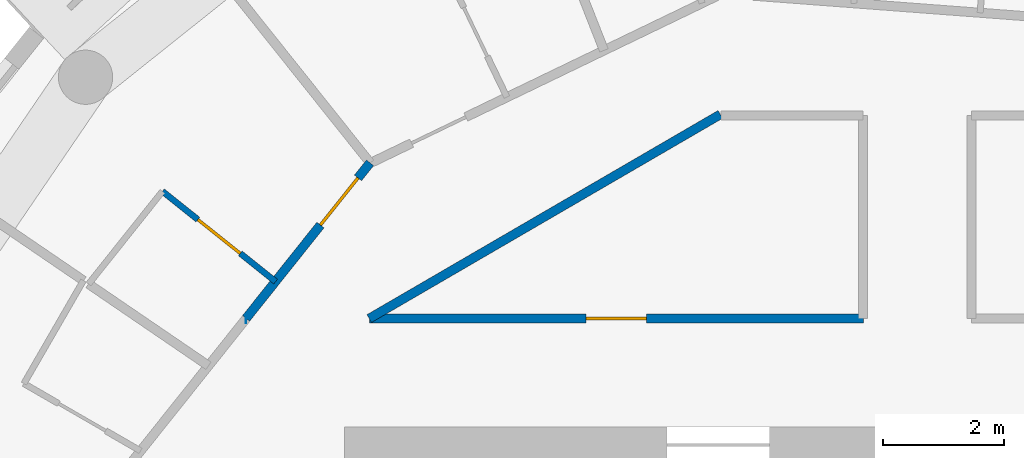
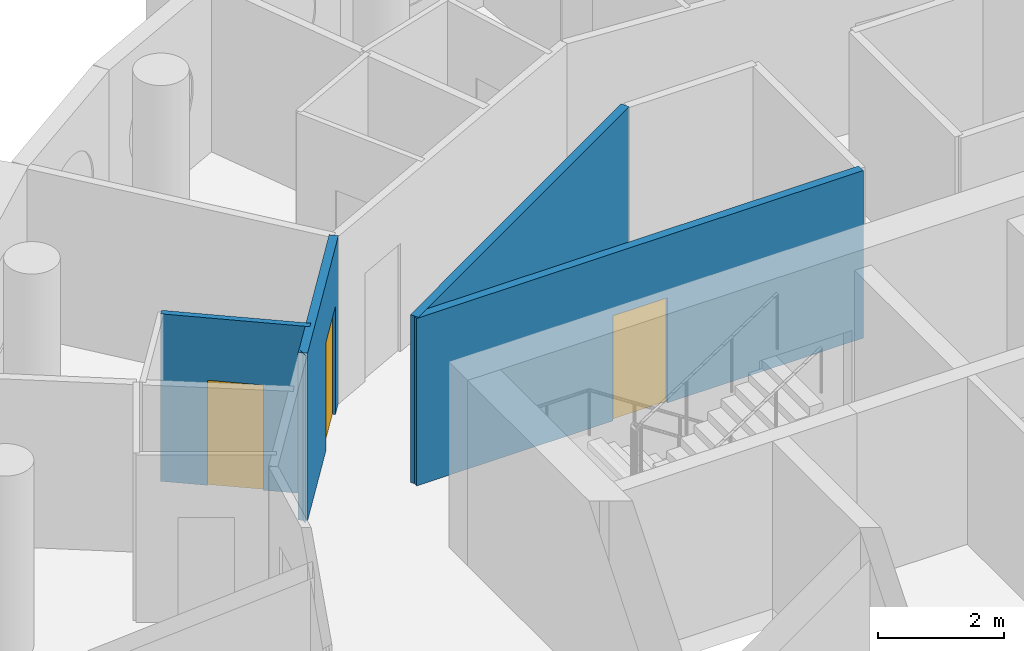
# One storey, part 7 of 13: 5 walls, 3 doors, 3 openings.
"""IFC4 building model written with IfcOpenShell, lengths in metres."""

import ifcopenshell
import ifcopenshell.guid

model = None  # the IFC model being written
_history = None  # IfcOwnerHistory: only IFC2X3 demands one
_inside = {}  # id of a spatial element -> (the spatial element, [elements in it])
_under = {}  # id of a project, library or spatial element -> (it, [spatial elements below it])
_declared = {}  # id of a project -> (the project, [libraries it declares])
_typed = {}  # id of a type object -> (the type object, [elements of that type])
_made_of = {}  # id of a material, layer set ... -> (it, [elements and type objects made of it])


def new_model(schema):
    """Start an empty IFC model of exactly this schema.

    Asked for "IFC4X3", IfcOpenShell would pick the latest addendum, in which some entities
    have other attributes; the version numbers below select the first issue.
    IFC2X3 requires an IfcOwnerHistory on every rooted entity: one is made here for all.
    """
    global model, _history
    if schema == "IFC4X3":
        model = ifcopenshell.file(schema_version=(4, 3, 0, 0))
    else:
        model = ifcopenshell.file(schema=schema)
    _inside.clear()
    _under.clear()
    _declared.clear()
    _typed.clear()
    _made_of.clear()
    _history = None
    if model.schema == "IFC2X3":
        org = make("IfcOrganization", Name="unknown")
        user = make(
            "IfcPersonAndOrganization",
            ThePerson=make("IfcPerson", FamilyName="unknown"),
            TheOrganization=org,
        )
        app = make(
            "IfcApplication",
            ApplicationDeveloper=org,
            Version="unknown",
            ApplicationFullName="unknown",
            ApplicationIdentifier="unknown",
        )
        _history = make(
            "IfcOwnerHistory",
            OwningUser=user,
            OwningApplication=app,
            ChangeAction="ADDED",
            CreationDate=0,
        )
    return model


def make(cls, **values):
    """One entity of the class cls with the attributes given. An attribute that is None is left unset."""
    return model.create_entity(
        cls, **{name: value for name, value in values.items() if value is not None}
    )


def rooted(cls, **values):
    """An entity with a GlobalId (a new one), such as an element, a storey or a relation."""
    return make(cls, GlobalId=ifcopenshell.guid.new(), OwnerHistory=_history, **values)


def si_unit(unit_type, name, prefix=None):
    """IfcSIUnit, for example si_unit("LENGTHUNIT", "METRE", prefix="MILLI")."""
    return make("IfcSIUnit", UnitType=unit_type, Prefix=prefix, Name=name)


def assignment(units):
    """IfcUnitAssignment: the units of a project."""
    return None if units is None else make("IfcUnitAssignment", Units=units)


def point(xyz):
    """IfcCartesianPoint."""
    return None if xyz is None else make("IfcCartesianPoint", Coordinates=xyz)


def direction(xyz):
    """IfcDirection."""
    return None if xyz is None else make("IfcDirection", DirectionRatios=xyz)


def frame(location, z_axis=None, x_axis=None):
    """IfcAxis2Placement3D, a coordinate frame: its origin and axes. An axis left out is left unset."""
    return make(
        "IfcAxis2Placement3D",
        Location=point(location),
        Axis=direction(z_axis),
        RefDirection=direction(x_axis),
    )


def frame_2d(location, x_axis=None):
    """IfcAxis2Placement2D, a coordinate frame in the plane: its origin and x axis."""
    return make(
        "IfcAxis2Placement2D", Location=point(location), RefDirection=direction(x_axis)
    )


def origin():
    """The frame at (0, 0, 0) with its axes left unset."""
    return frame((0.0, 0.0, 0.0))


def place(relative_to, where):
    """IfcLocalPlacement: puts the frame where relative to a parent placement (None: the world)."""
    return make(
        "IfcLocalPlacement", PlacementRelTo=relative_to, RelativePlacement=where
    )


def context(
    kind, dimensions, precision=None, world=None, true_north=None, identifier=None
):
    """IfcGeometricRepresentationContext, for example the 3D "Model" context."""
    return make(
        "IfcGeometricRepresentationContext",
        ContextIdentifier=identifier,
        ContextType=kind,
        CoordinateSpaceDimension=dimensions,
        Precision=precision,
        WorldCoordinateSystem=world,
        TrueNorth=true_north,
    )


def subcontext(parent, identifier, kind, view, scale=None):
    """IfcGeometricRepresentationSubContext, for example "Body" below "Model"."""
    return make(
        "IfcGeometricRepresentationSubContext",
        ContextIdentifier=identifier,
        ContextType=kind,
        ParentContext=parent,
        TargetScale=scale,
        TargetView=view,
    )


def project(units=None, contexts=None):
    """IfcProject with its units and contexts."""
    return rooted(
        "IfcProject",
        Name="project",
        RepresentationContexts=contexts,
        UnitsInContext=assignment(units),
    )


def spatial(cls, under=None, at=None, **own):
    """A site, building, storey or space (cls), placed at a placement, below another one or the project."""
    s = rooted(cls, ObjectPlacement=at, **own)
    if under is not None:
        _under.setdefault(under.id(), (under, []))[1].append(s)
    return s


def profile(cls, at=None, kind="AREA", **sizes):
    """A parametric profile (cls). Its sizes go by their IFC names, for example OverallWidth=200.0."""
    return make(cls, ProfileType=kind, Position=at, **sizes)


def rectangle(**sizes):
    """IfcRectangleProfileDef."""
    return profile("IfcRectangleProfileDef", **sizes)


def extrude(swept, where, along, depth):
    """IfcExtrudedAreaSolid: the profile swept, set in the frame where, extruded along a direction by depth."""
    return make(
        "IfcExtrudedAreaSolid",
        SweptArea=swept,
        Position=where,
        ExtrudedDirection=direction(along),
        Depth=depth,
    )


def shape(context_of_items, identifier, shape_type, items):
    """IfcShapeRepresentation: the items that make up one representation, for example the "Body"."""
    return make(
        "IfcShapeRepresentation",
        ContextOfItems=context_of_items,
        RepresentationIdentifier=identifier,
        RepresentationType=shape_type,
        Items=items,
    )


def material(Name=None, Category=None):
    """IfcMaterial."""
    return make("IfcMaterial", Name=Name, Category=Category)


def layer(
    of_material, thickness, ventilated=None, Name=None, Category=None, Priority=None
):
    """IfcMaterialLayer: one layer of a wall or slab, of a material (None: an air gap)."""
    return make(
        "IfcMaterialLayer",
        Material=of_material,
        LayerThickness=thickness,
        IsVentilated=ventilated,
        Name=Name,
        Category=Category,
        Priority=Priority,
    )


def layer_set(layers, Name=None):
    """IfcMaterialLayerSet."""
    return make("IfcMaterialLayerSet", MaterialLayers=layers, LayerSetName=Name)


def made_of(thing, what):
    """Note that an element or type object is made of a material, layer set ...; save() writes the relation."""
    if what is not None:
        _made_of.setdefault(what.id(), (what, []))[1].append(thing)
    return thing


def type_object(cls, material=None, **own):
    """A type object (cls), such as IfcWallType, which elements share."""
    return made_of(rooted(cls, **own), material)


def element(
    cls,
    number,
    at=None,
    inside=None,
    cuts=None,
    type_object=None,
    material=None,
    context=None,
    identifier="Body",
    shape_type=None,
    held_by="IfcProductDefinitionShape",
    body=None,
    shapes=None,
    **own,
):
    """One element of the class cls, such as IfcWall. Its Tag is "e" and its number.

    at: its placement. inside: the storey or other place that contains it. cuts: it is an
    opening in that element (IfcRelVoidsElement). A single representation is given by context,
    identifier, shape_type and body (its items); several are given by shapes. held_by: the class
    of the entity that holds the representations. save() writes the other relations.
    """
    e = rooted(cls, Tag="e%d" % number, ObjectPlacement=at, **own)
    if body is not None:
        shapes = [shape(context, identifier, shape_type, body)]
    if shapes is not None:
        e.Representation = make(held_by, Representations=shapes)
    if inside is not None:
        _inside.setdefault(inside.id(), (inside, []))[1].append(e)
    if cuts is not None:
        rooted(
            "IfcRelVoidsElement", RelatingBuildingElement=cuts, RelatedOpeningElement=e
        )
    if type_object is not None:
        _typed.setdefault(type_object.id(), (type_object, []))[1].append(e)
    return made_of(e, material)


def fill(opening, filler):
    """IfcRelFillsElement: the door or window that sits in an opening."""
    return rooted(
        "IfcRelFillsElement",
        RelatingOpeningElement=opening,
        RelatedBuildingElement=filler,
    )


def aggregate(whole, parts):
    """IfcRelAggregates: a whole, such as a stair, and the parts it consists of."""
    return rooted("IfcRelAggregates", RelatingObject=whole, RelatedObjects=parts)


def save(model, path):
    """Write the relations noted so far, then the file.

    IfcRelAggregates (storeys below a building ...), IfcRelContainedInSpatialStructure (elements
    in a storey), IfcRelDefinesByType, IfcRelAssociatesMaterial and IfcRelDeclares: one each for
    every whole, place, type object, material and project.
    """
    for whole, parts in _under.values():
        aggregate(whole, parts)
    for where, things in _inside.values():
        rooted(
            "IfcRelContainedInSpatialStructure",
            RelatedElements=things,
            RelatingStructure=where,
        )
    for kind, things in _typed.values():
        rooted("IfcRelDefinesByType", RelatedObjects=things, RelatingType=kind)
    for what, things in _made_of.values():
        rooted("IfcRelAssociatesMaterial", RelatedObjects=things, RelatingMaterial=what)
    for by, libraries in _declared.values():
        rooted("IfcRelDeclares", RelatingContext=by, RelatedDefinitions=libraries)
    model.write(path)


model = new_model("IFC4")

# Units and contexts
model_context = context("Model", 3, precision=1e-05, world=origin(), true_north=direction((0.0, 1.0)))
body_context = subcontext(model_context, "Body", "Model", "MODEL_VIEW")
ifc_project = project(units=[si_unit("LENGTHUNIT", "METRE"), si_unit("AREAUNIT", "SQUARE_METRE"), si_unit("VOLUMEUNIT", "CUBIC_METRE"), si_unit("PLANEANGLEUNIT", "RADIAN"), si_unit("MASSUNIT", "GRAM", prefix="KILO")], contexts=[model_context])

# Site, building, storey
site_placement = place(None, origin())
site = spatial("IfcSite", under=ifc_project, at=site_placement, CompositionType="ELEMENT")
building_placement = place(site_placement, origin())
building = spatial("IfcBuilding", under=site, at=building_placement, Name="Tracery Tower", CompositionType="ELEMENT")
storey_placement = place(building_placement, frame((0.0, 0.0, 309.0)))
storey = spatial("IfcBuildingStorey", under=building, at=storey_placement, Name="L80", CompositionType="ELEMENT", Elevation=309.0)

# Wall, opening, door
ifc_material_1 = material(Name="Plasterboard on steel studs", Category="steel")
ifc_layer_1 = layer(ifc_material_1, 0.10009765625)
ifc_layer_set_1 = layer_set([ifc_layer_1], Name="Partition 100 wet wall")
wall_type_1 = type_object("IfcWallType", Name="Partition 100 wet wall", PredefinedType="PARTITIONING", material=ifc_layer_set_1)
wall_1_placement = place(storey_placement, frame((-12.52197265625, 10.909912109375, 0.0), z_axis=(0.0, 0.0, 1.0), x_axis=(0.781830263661, -0.623491330191, 0.0)))
wall_1 = element("IfcWall", 1, at=wall_1_placement, inside=storey, type_object=wall_type_1, Name="Wet wall RC8-069", PredefinedType="PARTITIONING", context=body_context, shape_type="SweptSolid", body=[
    extrude(rectangle(XDim=2.400634765625, YDim=0.10009765625, at=frame_2d((1.2001953125, 0.0))), origin(), (0.0, 0.0, 1.0), 3.25),
])
opening_1_placement = place(wall_1_placement, frame((0.7509765625, 0.0, 0.0)))
opening_1 = element("IfcOpeningElement", 2, at=opening_1_placement, cuts=wall_1, Name="Opening RC8-19", PredefinedType="OPENING", context=body_context, shape_type="SweptSolid", body=[
    extrude(rectangle(XDim=0.89990234375, YDim=2.0400390625, at=frame_2d((0.449951171875, 1.02001953125))), frame((0.0, 0.050048828125, 0.0), z_axis=(0.0, -1.0, 0.0), x_axis=(1.0, 0.0, 0.0)), (0.0, 0.0, 1.0), 0.10009765625),
])
ifc_material_2 = material(Name="Timber door leaf", Category="wood")
door_type_1 = type_object("IfcDoorType", Name="Door en-suite 900", OperationType="NOTDEFINED", PredefinedType="DOOR", material=ifc_material_2)
door_1_placement = place(opening_1_placement, origin())
door_1 = element("IfcDoor", 3, at=door_1_placement, inside=storey, type_object=door_type_1, Name="En-suite door RC8-19", OperationType="SINGLE_SWING_LEFT", OverallHeight=2.0400390625, OverallWidth=0.89990234375, PredefinedType="DOOR", context=body_context, shape_type="SweptSolid", body=[
    extrude(rectangle(XDim=0.89990234375, YDim=2.0400390625, at=frame_2d((0.449951171875, 1.02001953125))), frame((0.0, 0.02490234375, 0.0), z_axis=(0.0, -1.0, 0.0), x_axis=(1.0, 0.0, 0.0)), (0.0, 0.0, 1.0), 0.050048828125),
])
fill(opening_1, door_1)

# Wall
ifc_material_3 = material(Name="Plasterboard on steel studs", Category="steel")
ifc_layer_2 = layer(ifc_material_3, 0.14990234375)
ifc_layer_set_2 = layer_set([ifc_layer_2], Name="Partition 150 corridor wall")
wall_type_2 = type_object("IfcWallType", Name="Partition 150 corridor wall", PredefinedType="PARTITIONING", material=ifc_layer_set_2)
wall_2_placement = place(storey_placement, frame((-9.092041015625, 8.800048828125, 0.0), z_axis=(0.0, 0.0, 1.0), x_axis=(0.864470922103, 0.502682827277, 0.0)))
element("IfcWall", 4, at=wall_2_placement, inside=storey, type_object=wall_type_2, Name="Corridor wall RC8-001", PredefinedType="PARTITIONING", context=body_context, shape_type="SweptSolid", body=[
    extrude(rectangle(XDim=6.7353515625, YDim=0.14990234375, at=frame_2d((3.36767578125, 0.0))), origin(), (0.0, 0.0, 1.0), 3.25),
])

# Wall, opening, door
wall_3_placement = place(storey_placement, frame((-9.092041015625, 8.800048828125, 0.0), z_axis=(0.0, 0.0, 1.0), x_axis=(1.0, 0.0, 0.0)))
wall_3 = element("IfcWall", 5, at=wall_3_placement, inside=storey, type_object=wall_type_2, Name="Corridor wall RC8-002", PredefinedType="PARTITIONING", context=body_context, shape_type="SweptSolid", body=[
    extrude(rectangle(XDim=8.196044921875, YDim=0.14990234375, at=frame_2d((4.09814453125, 0.0))), origin(), (0.0, 0.0, 1.0), 3.25),
])
opening_2_placement = place(wall_3_placement, frame((3.597900390625, 0.0, 0.0)))
opening_2 = element("IfcOpeningElement", 6, at=opening_2_placement, cuts=wall_3, Name="Opening RC8-01", PredefinedType="OPENING", context=body_context, shape_type="SweptSolid", body=[
    extrude(rectangle(XDim=1.0, YDim=2.0400390625, at=frame_2d((0.5, 1.02001953125))), frame((0.0, 0.074951171875, 0.0), z_axis=(0.0, -1.0, 0.0), x_axis=(1.0, 0.0, 0.0)), (0.0, 0.0, 1.0), 0.14990234375),
])
ifc_material_4 = material(Name="Timber door leaf", Category="wood")
door_type_2 = type_object("IfcDoorType", Name="Door communal room 1000", OperationType="NOTDEFINED", PredefinedType="DOOR", material=ifc_material_4)
door_2_placement = place(opening_2_placement, origin())
door_2 = element("IfcDoor", 7, at=door_2_placement, inside=storey, type_object=door_type_2, Name="Communal room door RC8-01", OperationType="SINGLE_SWING_RIGHT", OverallHeight=2.0400390625, OverallWidth=1.0, PredefinedType="DOOR", context=body_context, shape_type="SweptSolid", body=[
    extrude(rectangle(XDim=1.0, YDim=2.0400390625, at=frame_2d((0.5, 1.02001953125))), frame((0.0, 0.02490234375, 0.0), z_axis=(0.0, -1.0, 0.0), x_axis=(1.0, 0.0, 0.0)), (0.0, 0.0, 1.0), 0.050048828125),
])
fill(opening_2, door_2)

wall_4_placement = place(storey_placement, frame((-11.135986328125, 8.802001953125, 0.0), z_axis=(0.0, 0.0, 1.0), x_axis=(0.623151397235, 0.782101231379, 0.0)))
wall_4 = element("IfcWall", 8, at=wall_4_placement, inside=storey, type_object=wall_type_2, Name="Corridor wall RC8-008", PredefinedType="PARTITIONING", context=body_context, shape_type="SweptSolid", body=[
    extrude(rectangle(XDim=3.30078125, YDim=0.14990234375, at=frame_2d((1.650390625, 0.0))), origin(), (0.0, 0.0, 1.0), 3.25),
])
opening_3_placement = place(wall_4_placement, frame((1.980712890625, 0.0, 0.0)))
opening_3 = element("IfcOpeningElement", 9, at=opening_3_placement, cuts=wall_4, Name="Opening RC8-20", PredefinedType="OPENING", context=body_context, shape_type="SweptSolid", body=[
    extrude(rectangle(XDim=1.0, YDim=2.10009765625, at=frame_2d((0.5, 1.050048828125))), frame((0.0, 0.074951171875, 0.0), z_axis=(0.0, -1.0, 0.0), x_axis=(1.0, 0.0, 0.0)), (0.0, 0.0, 1.0), 0.14990234375),
])
ifc_material_5 = material(Name="Timber door leaf", Category="wood")
door_type_3 = type_object("IfcDoorType", Name="Door unit entrance 1000", OperationType="NOTDEFINED", PredefinedType="DOOR", material=ifc_material_5)
door_3_placement = place(opening_3_placement, origin())
door_3 = element("IfcDoor", 10, at=door_3_placement, inside=storey, type_object=door_type_3, Name="Unit entrance door RC8-20", OperationType="SINGLE_SWING_LEFT", OverallHeight=2.10009765625, OverallWidth=1.0, PredefinedType="DOOR", context=body_context, shape_type="SweptSolid", body=[
    extrude(rectangle(XDim=1.0, YDim=2.10009765625, at=frame_2d((0.5, 1.050048828125))), frame((0.0, 0.02490234375, 0.0), z_axis=(0.0, -1.0, 0.0), x_axis=(1.0, 0.0, 0.0)), (0.0, 0.0, 1.0), 0.050048828125),
])
fill(opening_3, door_3)

# Wall
wall_5_placement = place(storey_placement, frame((-11.134033203125, 8.800048828125, 0.0), z_axis=(0.0, 0.0, 1.0), x_axis=(-1.0, 0.0, 0.0)))
element("IfcWall", 11, at=wall_5_placement, inside=storey, type_object=wall_type_2, Name="Corridor wall RC8-010", PredefinedType="PARTITIONING", context=body_context, shape_type="SweptSolid", body=[
    extrude(rectangle(XDim=0.0029296875, YDim=0.14990234375, at=frame_2d((0.00146484375, 0.0))), origin(), (0.0, 0.0, 1.0), 3.25),
])

save(model, "model.ifc")
